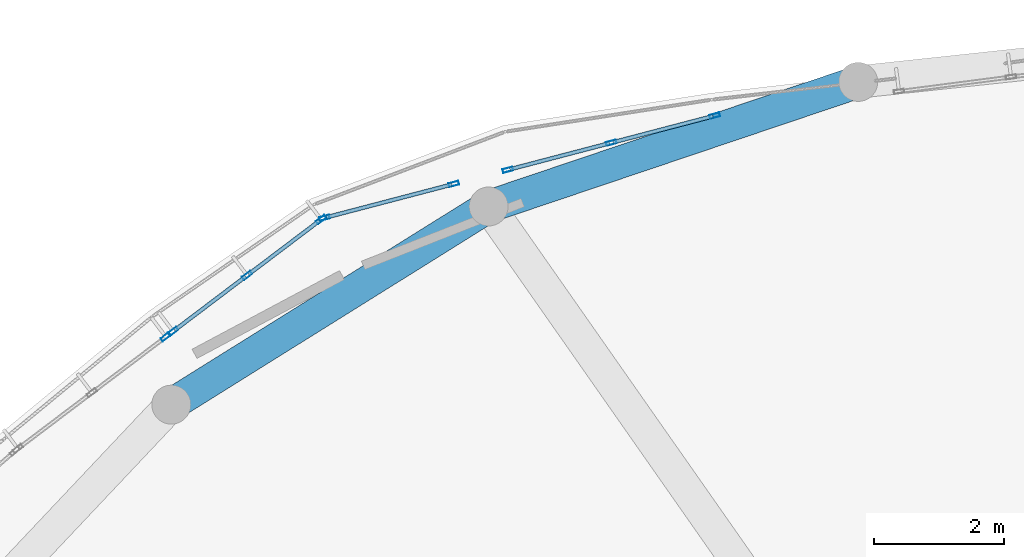
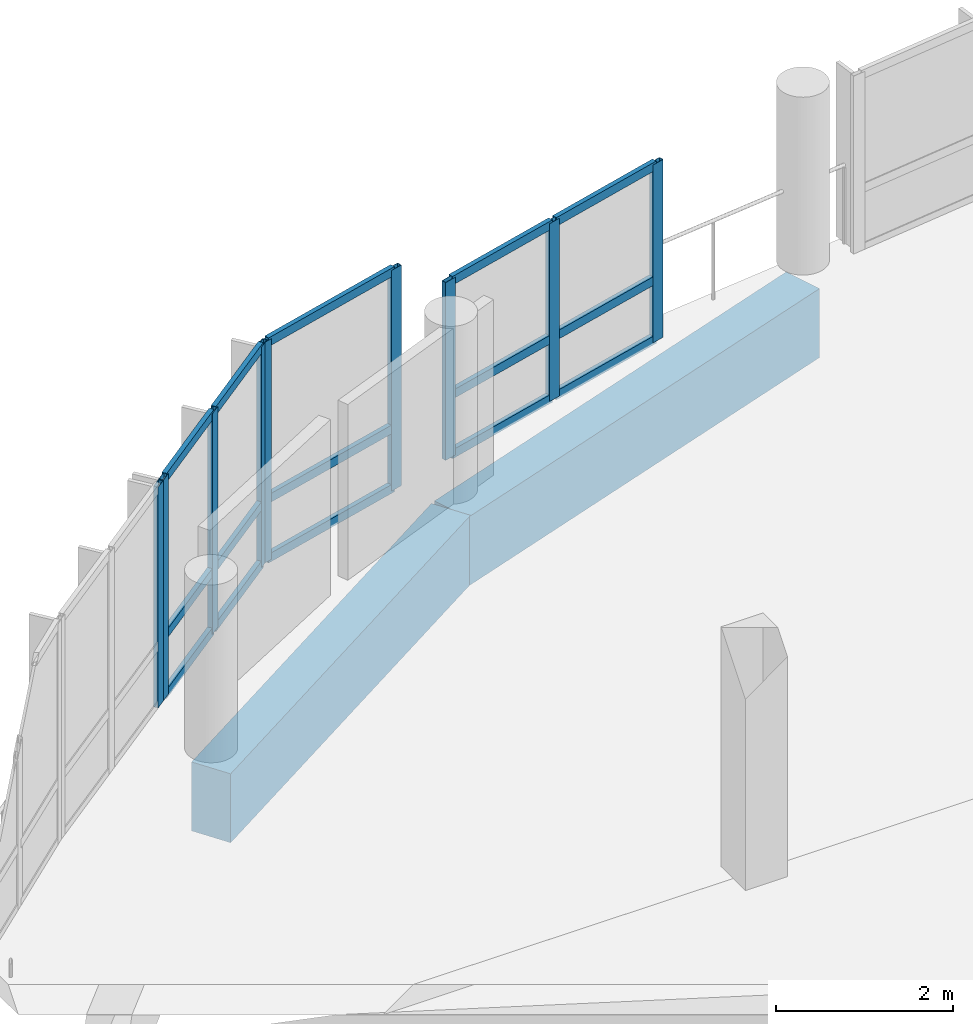
# One storey, part 16 of 43: 24 members, 2 beams, 4 elements without a shape of their own.
"""IFC4 building model written with IfcOpenShell, lengths in metres."""

from ifc_helpers import new_model, si_unit, derived_unit, direction, frame, origin, origin_2d, place, context, subcontext, project, spatial, rectangle, hollow_rectangle, extrude, material, layer, layer_set, material_profile, profile_set, type_object, element, aggregate, save


model = new_model("IFC4")

# Units and contexts
model_context = context("Model", 3, precision=1e-05, world=origin(), true_north=direction((0.0, 1.0)))
body_context = subcontext(model_context, "Body", "Model", "MODEL_VIEW")
ifc_project = project(units=[si_unit("LENGTHUNIT", "METRE"), si_unit("AREAUNIT", "SQUARE_METRE"), si_unit("VOLUMEUNIT", "CUBIC_METRE"), si_unit("PLANEANGLEUNIT", "RADIAN"), si_unit("MASSUNIT", "GRAM", prefix="KILO"), derived_unit("THERMALTRANSMITTANCEUNIT", [(si_unit("POWERUNIT", "WATT"), 1), (si_unit("LENGTHUNIT", "METRE"), -2), (si_unit("THERMODYNAMICTEMPERATUREUNIT", "KELVIN"), -1)])], contexts=[model_context])

# Site, building, storey
site_placement = place(None, origin())
site = spatial("IfcSite", under=ifc_project, at=site_placement, CompositionType="ELEMENT")
building_placement = place(site_placement, origin())
building = spatial("IfcBuilding", under=site, at=building_placement, Name="Elbkamm Science Centre", CompositionType="ELEMENT")
storey_placement = place(building_placement, frame((0.0, 0.0, 18.300048828125)))
storey = spatial("IfcBuildingStorey", under=building, at=storey_placement, Name="L04", CompositionType="ELEMENT", Elevation=18.300048828125)

# Beams
ifc_material_1 = material(Name="Concrete C40/50", Category="concrete")
ifc_material_profile_1 = material_profile(ifc_material_1, rectangle(XDim=0.5, YDim=0.949951171875, at=origin_2d()), Name="RC 500x950")
ifc_profile_set_1 = profile_set([ifc_material_profile_1], Name="Concrete C40/50")
beam_type = type_object("IfcBeamType", Name="BM-RC-500x950", PredefinedType="BEAM", material=ifc_profile_set_1)
beam_1_placement = place(storey_placement, frame((56.89208984375, 85.74609375, -0.755126953125), z_axis=(-0.947637651085, -0.319347588444, 0.0), x_axis=(0.319347588444, -0.947637651085, 0.0)))
element("IfcBeam", 1, at=beam_1_placement, inside=storey, type_object=beam_type, Name="L04 Elliptical Shell Perimeter Ring Beam 08", PredefinedType="SPANDREL", context=body_context, shape_type="SweptSolid", body=[
    extrude(rectangle(XDim=0.5, YDim=0.949951171875, at=origin_2d()), origin(), (0.0, 0.0, 1.0), 6.006591796875),
])
beam_2_placement = place(storey_placement, frame((51.199951171875, 83.827880859375, -0.755126953125), z_axis=(-0.848229099729, -0.529629487824, 0.0), x_axis=(0.529629487824, -0.848229099729, 0.0)))
element("IfcBeam", 2, at=beam_2_placement, inside=storey, type_object=beam_type, Name="L04 Elliptical Shell Perimeter Ring Beam 09", PredefinedType="SPANDREL", context=body_context, shape_type="SweptSolid", body=[
    extrude(rectangle(XDim=0.5, YDim=0.949951171875, at=origin_2d()), origin(), (0.0, 0.0, 1.0), 5.762451171875),
])

# Curtain wall, members
ifc_material_2 = material(Name="Powder-coated aluminium and triple low-E glazing", Category="aluminium")
ifc_layer_1 = layer(ifc_material_2, 0.159912109375)
ifc_layer_set_1 = layer_set([ifc_layer_1], Name="Powder-coated aluminium and triple low-E glazing")
curtain_wall_type_1 = type_object("IfcCurtainWallType", Name="CW-UNIT-3360x2460", PredefinedType="USERDEFINED", material=ifc_layer_set_1)
curtain_wall_1_placement = place(storey_placement, origin())
curtain_wall_1 = element("IfcCurtainWall", 3, at=curtain_wall_1_placement, inside=storey, type_object=curtain_wall_type_1, Name="L04 Unitised Curtain Wall 084", ObjectType="UNITISED CURTAIN WALL", PredefinedType="USERDEFINED")
ifc_material_3 = material(Name="Powder-coated aluminium EN AW-6060", Category="aluminium")
ifc_material_profile_2 = material_profile(ifc_material_3, hollow_rectangle(XDim=0.06005859375, YDim=0.159912109375, WallThickness=0.00390625, at=origin_2d()), Name="ALU M60x160")
ifc_profile_set_2 = profile_set([ifc_material_profile_2], Name="Powder-coated aluminium EN AW-6060")
member_type_1 = type_object("IfcMemberType", Name="CW-MUL-60x160", PredefinedType="MULLION", material=ifc_profile_set_2)
member_1_placement = place(storey_placement, frame((54.68212890625, 85.22607421875, 0.0), z_axis=(0.0, 0.0, 1.0), x_axis=(0.253215848405, -0.967409806709, 0.0)))
member_1 = element("IfcMember", 4, at=member_1_placement, type_object=member_type_1, Name="CW-039 mullion 1", PredefinedType="MULLION", context=body_context, shape_type="SweptSolid", body=[
    extrude(hollow_rectangle(XDim=0.06005859375, YDim=0.159912109375, WallThickness=0.00390625, at=origin_2d()), origin(), (0.0, 0.0, 1.0), 2.449951171875),
])
member_2_placement = place(storey_placement, frame((53.08935546875, 84.80908203125, 0.0), z_axis=(0.0, 0.0, 1.0), x_axis=(0.253215848405, -0.967409806709, 0.0)))
member_2 = element("IfcMember", 5, at=member_2_placement, type_object=member_type_1, Name="CW-039 mullion 2", PredefinedType="MULLION", context=body_context, shape_type="SweptSolid", body=[
    extrude(hollow_rectangle(XDim=0.06005859375, YDim=0.159912109375, WallThickness=0.00390625, at=origin_2d()), origin(), (0.0, 0.0, 1.0), 2.449951171875),
])
member_3_placement = place(storey_placement, frame((51.49658203125, 84.39208984375, 0.0), z_axis=(0.0, 0.0, 1.0), x_axis=(0.253215848405, -0.967409806709, 0.0)))
member_3 = element("IfcMember", 6, at=member_3_placement, type_object=member_type_1, Name="CW-039 mullion 3", PredefinedType="MULLION", context=body_context, shape_type="SweptSolid", body=[
    extrude(hollow_rectangle(XDim=0.06005859375, YDim=0.159912109375, WallThickness=0.00390625, at=origin_2d()), origin(), (0.0, 0.0, 1.0), 2.449951171875),
])

ifc_layer_2 = layer(ifc_material_2, 0.159912109375)
ifc_layer_set_2 = layer_set([ifc_layer_2], Name="Powder-coated aluminium and triple low-E glazing")
curtain_wall_type_2 = type_object("IfcCurtainWallType", Name="CW-UNIT-2120x3040", PredefinedType="USERDEFINED", material=ifc_layer_set_2)
curtain_wall_2_placement = place(storey_placement, origin())
curtain_wall_2 = element("IfcCurtainWall", 7, at=curtain_wall_2_placement, inside=storey, type_object=curtain_wall_type_2, Name="L04 Unitised Curtain Wall 085", ObjectType="UNITISED CURTAIN WALL", PredefinedType="USERDEFINED")
member_4_placement = place(storey_placement, frame((50.6630859375, 84.174072265625, 0.0), z_axis=(0.0, 0.0, 1.0), x_axis=(0.25320997861, -0.967411343086, 0.0)))
member_4 = element("IfcMember", 8, at=member_4_placement, type_object=member_type_1, Name="CW-040 mullion 1", PredefinedType="MULLION", context=body_context, shape_type="SweptSolid", body=[
    extrude(hollow_rectangle(XDim=0.06005859375, YDim=0.159912109375, WallThickness=0.00390625, at=origin_2d()), origin(), (0.0, 0.0, 1.0), 3.0400390625),
])
member_5_placement = place(storey_placement, frame((48.67236328125, 83.653076171875, 0.0), z_axis=(0.0, 0.0, 1.0), x_axis=(0.25320997861, -0.967411343086, 0.0)))
member_5 = element("IfcMember", 9, at=member_5_placement, type_object=member_type_1, Name="CW-040 mullion 2", PredefinedType="MULLION", context=body_context, shape_type="SweptSolid", body=[
    extrude(hollow_rectangle(XDim=0.06005859375, YDim=0.159912109375, WallThickness=0.00390625, at=origin_2d()), origin(), (0.0, 0.0, 1.0), 3.0400390625),
])

ifc_layer_3 = layer(ifc_material_2, 0.159912109375)
ifc_layer_set_3 = layer_set([ifc_layer_3], Name="Powder-coated aluminium and triple low-E glazing")
curtain_wall_type_3 = type_object("IfcCurtainWallType", Name="CW-UNIT-2920x3040", PredefinedType="USERDEFINED", material=ifc_layer_set_3)
curtain_wall_3_placement = place(storey_placement, origin())
curtain_wall_3 = element("IfcCurtainWall", 10, at=curtain_wall_3_placement, inside=storey, type_object=curtain_wall_type_3, Name="L04 Unitised Curtain Wall 086", ObjectType="UNITISED CURTAIN WALL", PredefinedType="USERDEFINED")
member_6_placement = place(storey_placement, frame((48.619384765625, 83.627197265625, 0.0), z_axis=(0.0, 0.0, 1.0), x_axis=(0.602996532888, -0.797743806823, 0.0)))
member_6 = element("IfcMember", 11, at=member_6_placement, type_object=member_type_1, Name="CW-041 mullion 1", PredefinedType="MULLION", context=body_context, shape_type="SweptSolid", body=[
    extrude(hollow_rectangle(XDim=0.06005859375, YDim=0.159912109375, WallThickness=0.00390625, at=origin_2d()), origin(), (0.0, 0.0, 1.0), 3.0400390625),
])
member_7_placement = place(storey_placement, frame((47.47998046875, 82.76611328125, 0.0), z_axis=(0.0, 0.0, 1.0), x_axis=(0.602996532888, -0.797743806823, 0.0)))
member_7 = element("IfcMember", 12, at=member_7_placement, type_object=member_type_1, Name="CW-041 mullion 2", PredefinedType="MULLION", context=body_context, shape_type="SweptSolid", body=[
    extrude(hollow_rectangle(XDim=0.06005859375, YDim=0.159912109375, WallThickness=0.00390625, at=origin_2d()), origin(), (0.0, 0.0, 1.0), 3.0400390625),
])
member_8_placement = place(storey_placement, frame((46.340576171875, 81.90478515625, 0.0), z_axis=(0.0, 0.0, 1.0), x_axis=(0.602996532888, -0.797743806823, 0.0)))
member_8 = element("IfcMember", 13, at=member_8_placement, type_object=member_type_1, Name="CW-041 mullion 3", PredefinedType="MULLION", context=body_context, shape_type="SweptSolid", body=[
    extrude(hollow_rectangle(XDim=0.06005859375, YDim=0.159912109375, WallThickness=0.00390625, at=origin_2d()), origin(), (0.0, 0.0, 1.0), 3.0400390625),
])

# Curtain wall, member
curtain_wall_4_placement = place(storey_placement, origin())
curtain_wall_4 = element("IfcCurtainWall", 14, at=curtain_wall_4_placement, inside=storey, type_object=curtain_wall_type_3, Name="L04 Unitised Curtain Wall 087", ObjectType="UNITISED CURTAIN WALL", PredefinedType="USERDEFINED")
member_9_placement = place(storey_placement, frame((46.22900390625, 81.8203125, 0.0), z_axis=(0.0, 0.0, 1.0), x_axis=(0.602996532888, -0.797743806823, 0.0)))
member_9 = element("IfcMember", 15, at=member_9_placement, type_object=member_type_1, Name="CW-041 mullion 1", PredefinedType="MULLION", context=body_context, shape_type="SweptSolid", body=[
    extrude(hollow_rectangle(XDim=0.06005859375, YDim=0.159912109375, WallThickness=0.00390625, at=origin_2d()), origin(), (0.0, 0.0, 1.0), 3.0400390625),
])
aggregate(curtain_wall_4, [member_9])

# Member
ifc_material_profile_3 = material_profile(ifc_material_3, hollow_rectangle(XDim=0.06005859375, YDim=0.1201171875, WallThickness=0.00341796875, at=origin_2d()), Name="ALU T60x120")
ifc_profile_set_3 = profile_set([ifc_material_profile_3], Name="Powder-coated aluminium EN AW-6060")
member_type_2 = type_object("IfcMemberType", Name="CW-TRN-60x120", PredefinedType="USERDEFINED", material=ifc_profile_set_3)
member_10_placement = place(storey_placement, frame((54.653076171875, 85.218505859375, 0.030029296875), z_axis=(-0.967384795054, -0.253311386042, 0.0), x_axis=(0.253311386042, -0.967384795054, 0.0)))
member_10 = element("IfcMember", 16, at=member_10_placement, type_object=member_type_2, Name="CW-039 transom 1.1", ObjectType="TRANSOM", PredefinedType="USERDEFINED", context=body_context, shape_type="SweptSolid", body=[
    extrude(hollow_rectangle(XDim=0.06005859375, YDim=0.1201171875, WallThickness=0.00341796875, at=origin_2d()), origin(), (0.0, 0.0, 1.0), 1.58642578125),
])

member_11_placement = place(storey_placement, frame((54.653076171875, 85.218505859375, 0.849853515625), z_axis=(-0.967384795054, -0.253311386042, 0.0), x_axis=(0.253311386042, -0.967384795054, 0.0)))
member_11 = element("IfcMember", 17, at=member_11_placement, type_object=member_type_2, Name="CW-039 transom 1.2", ObjectType="TRANSOM", PredefinedType="USERDEFINED", context=body_context, shape_type="SweptSolid", body=[
    extrude(hollow_rectangle(XDim=0.06005859375, YDim=0.1201171875, WallThickness=0.00341796875, at=origin_2d()), origin(), (0.0, 0.0, 1.0), 1.58642578125),
])

member_12_placement = place(storey_placement, frame((54.653076171875, 85.218505859375, 2.419921875), z_axis=(-0.967384795054, -0.253311386042, 0.0), x_axis=(0.253311386042, -0.967384795054, 0.0)))
member_12 = element("IfcMember", 18, at=member_12_placement, type_object=member_type_2, Name="CW-039 transom 1.3", ObjectType="TRANSOM", PredefinedType="USERDEFINED", context=body_context, shape_type="SweptSolid", body=[
    extrude(hollow_rectangle(XDim=0.06005859375, YDim=0.1201171875, WallThickness=0.00341796875, at=origin_2d()), origin(), (0.0, 0.0, 1.0), 1.58642578125),
])

member_13_placement = place(storey_placement, frame((53.060302734375, 84.801513671875, 0.030029296875), z_axis=(-0.96742249774, -0.253167357426, 0.0), x_axis=(0.253167357426, -0.96742249774, 0.0)))
member_13 = element("IfcMember", 19, at=member_13_placement, type_object=member_type_2, Name="CW-039 transom 2.1", ObjectType="TRANSOM", PredefinedType="USERDEFINED", context=body_context, shape_type="SweptSolid", body=[
    extrude(hollow_rectangle(XDim=0.06005859375, YDim=0.1201171875, WallThickness=0.00341796875, at=origin_2d()), origin(), (0.0, 0.0, 1.0), 1.58642578125),
])

member_14_placement = place(storey_placement, frame((53.060302734375, 84.801513671875, 0.849853515625), z_axis=(-0.96742249774, -0.253167357426, 0.0), x_axis=(0.253167357426, -0.96742249774, 0.0)))
member_14 = element("IfcMember", 20, at=member_14_placement, type_object=member_type_2, Name="CW-039 transom 2.2", ObjectType="TRANSOM", PredefinedType="USERDEFINED", context=body_context, shape_type="SweptSolid", body=[
    extrude(hollow_rectangle(XDim=0.06005859375, YDim=0.1201171875, WallThickness=0.00341796875, at=origin_2d()), origin(), (0.0, 0.0, 1.0), 1.58642578125),
])

member_15_placement = place(storey_placement, frame((53.060302734375, 84.801513671875, 2.419921875), z_axis=(-0.96742249774, -0.253167357426, 0.0), x_axis=(0.253167357426, -0.96742249774, 0.0)))
member_15 = element("IfcMember", 21, at=member_15_placement, type_object=member_type_2, Name="CW-039 transom 2.3", ObjectType="TRANSOM", PredefinedType="USERDEFINED", context=body_context, shape_type="SweptSolid", body=[
    extrude(hollow_rectangle(XDim=0.06005859375, YDim=0.1201171875, WallThickness=0.00341796875, at=origin_2d()), origin(), (0.0, 0.0, 1.0), 1.58642578125),
])

aggregate(curtain_wall_1, [member_1, member_2, member_3, member_10, member_11, member_12, member_13, member_14, member_15])

member_16_placement = place(storey_placement, frame((50.634033203125, 84.16650390625, 0.030029296875), z_axis=(-0.967409297237, -0.25321779483, 0.0), x_axis=(0.25321779483, -0.967409297237, 0.0)))
member_16 = element("IfcMember", 22, at=member_16_placement, type_object=member_type_2, Name="CW-040 transom 1.1", ObjectType="TRANSOM", PredefinedType="USERDEFINED", context=body_context, shape_type="SweptSolid", body=[
    extrude(hollow_rectangle(XDim=0.06005859375, YDim=0.1201171875, WallThickness=0.00341796875, at=origin_2d()), origin(), (0.0, 0.0, 1.0), 1.997802734375),
])

member_17_placement = place(storey_placement, frame((50.634033203125, 84.16650390625, 0.849853515625), z_axis=(-0.967409297237, -0.25321779483, 0.0), x_axis=(0.25321779483, -0.967409297237, 0.0)))
member_17 = element("IfcMember", 23, at=member_17_placement, type_object=member_type_2, Name="CW-040 transom 1.2", ObjectType="TRANSOM", PredefinedType="USERDEFINED", context=body_context, shape_type="SweptSolid", body=[
    extrude(hollow_rectangle(XDim=0.06005859375, YDim=0.1201171875, WallThickness=0.00341796875, at=origin_2d()), origin(), (0.0, 0.0, 1.0), 1.997802734375),
])

member_18_placement = place(storey_placement, frame((50.634033203125, 84.16650390625, 3.010009765625), z_axis=(-0.967409297237, -0.25321779483, 0.0), x_axis=(0.25321779483, -0.967409297237, 0.0)))
member_18 = element("IfcMember", 24, at=member_18_placement, type_object=member_type_2, Name="CW-040 transom 1.3", ObjectType="TRANSOM", PredefinedType="USERDEFINED", context=body_context, shape_type="SweptSolid", body=[
    extrude(hollow_rectangle(XDim=0.06005859375, YDim=0.1201171875, WallThickness=0.00341796875, at=origin_2d()), origin(), (0.0, 0.0, 1.0), 1.997802734375),
])

aggregate(curtain_wall_2, [member_4, member_5, member_16, member_17, member_18])

member_19_placement = place(storey_placement, frame((48.595458984375, 83.609130859375, 0.030029296875), z_axis=(-0.797789121569, -0.602936578345, 0.0), x_axis=(0.602936578345, -0.797789121569, 0.0)))
member_19 = element("IfcMember", 25, at=member_19_placement, type_object=member_type_2, Name="CW-041 transom 1.1", ObjectType="TRANSOM", PredefinedType="USERDEFINED", context=body_context, shape_type="SweptSolid", body=[
    extrude(hollow_rectangle(XDim=0.06005859375, YDim=0.1201171875, WallThickness=0.00341796875, at=origin_2d()), origin(), (0.0, 0.0, 1.0), 1.3681640625),
])

member_20_placement = place(storey_placement, frame((48.595458984375, 83.609130859375, 0.849853515625), z_axis=(-0.797789121569, -0.602936578345, 0.0), x_axis=(0.602936578345, -0.797789121569, 0.0)))
member_20 = element("IfcMember", 26, at=member_20_placement, type_object=member_type_2, Name="CW-041 transom 1.2", ObjectType="TRANSOM", PredefinedType="USERDEFINED", context=body_context, shape_type="SweptSolid", body=[
    extrude(hollow_rectangle(XDim=0.06005859375, YDim=0.1201171875, WallThickness=0.00341796875, at=origin_2d()), origin(), (0.0, 0.0, 1.0), 1.3681640625),
])

member_21_placement = place(storey_placement, frame((48.595458984375, 83.609130859375, 3.010009765625), z_axis=(-0.797789121569, -0.602936578345, 0.0), x_axis=(0.602936578345, -0.797789121569, 0.0)))
member_21 = element("IfcMember", 27, at=member_21_placement, type_object=member_type_2, Name="CW-041 transom 1.3", ObjectType="TRANSOM", PredefinedType="USERDEFINED", context=body_context, shape_type="SweptSolid", body=[
    extrude(hollow_rectangle(XDim=0.06005859375, YDim=0.1201171875, WallThickness=0.00341796875, at=origin_2d()), origin(), (0.0, 0.0, 1.0), 1.3681640625),
])

member_22_placement = place(storey_placement, frame((47.4560546875, 82.748046875, 0.030029296875), z_axis=(-0.797703291917, -0.603050128982, 0.0), x_axis=(0.603050128982, -0.797703291917, 0.0)))
member_22 = element("IfcMember", 28, at=member_22_placement, type_object=member_type_2, Name="CW-041 transom 2.1", ObjectType="TRANSOM", PredefinedType="USERDEFINED", context=body_context, shape_type="SweptSolid", body=[
    extrude(hollow_rectangle(XDim=0.06005859375, YDim=0.1201171875, WallThickness=0.00341796875, at=origin_2d()), origin(), (0.0, 0.0, 1.0), 1.368408203125),
])

member_23_placement = place(storey_placement, frame((47.4560546875, 82.748046875, 0.849853515625), z_axis=(-0.797703291917, -0.603050128982, 0.0), x_axis=(0.603050128982, -0.797703291917, 0.0)))
member_23 = element("IfcMember", 29, at=member_23_placement, type_object=member_type_2, Name="CW-041 transom 2.2", ObjectType="TRANSOM", PredefinedType="USERDEFINED", context=body_context, shape_type="SweptSolid", body=[
    extrude(hollow_rectangle(XDim=0.06005859375, YDim=0.1201171875, WallThickness=0.00341796875, at=origin_2d()), origin(), (0.0, 0.0, 1.0), 1.368408203125),
])

member_24_placement = place(storey_placement, frame((47.4560546875, 82.748046875, 3.010009765625), z_axis=(-0.797703291917, -0.603050128982, 0.0), x_axis=(0.603050128982, -0.797703291917, 0.0)))
member_24 = element("IfcMember", 30, at=member_24_placement, type_object=member_type_2, Name="CW-041 transom 2.3", ObjectType="TRANSOM", PredefinedType="USERDEFINED", context=body_context, shape_type="SweptSolid", body=[
    extrude(hollow_rectangle(XDim=0.06005859375, YDim=0.1201171875, WallThickness=0.00341796875, at=origin_2d()), origin(), (0.0, 0.0, 1.0), 1.368408203125),
])

aggregate(curtain_wall_3, [member_6, member_7, member_8, member_19, member_20, member_21, member_22, member_23, member_24])

save(model, "model.ifc")
